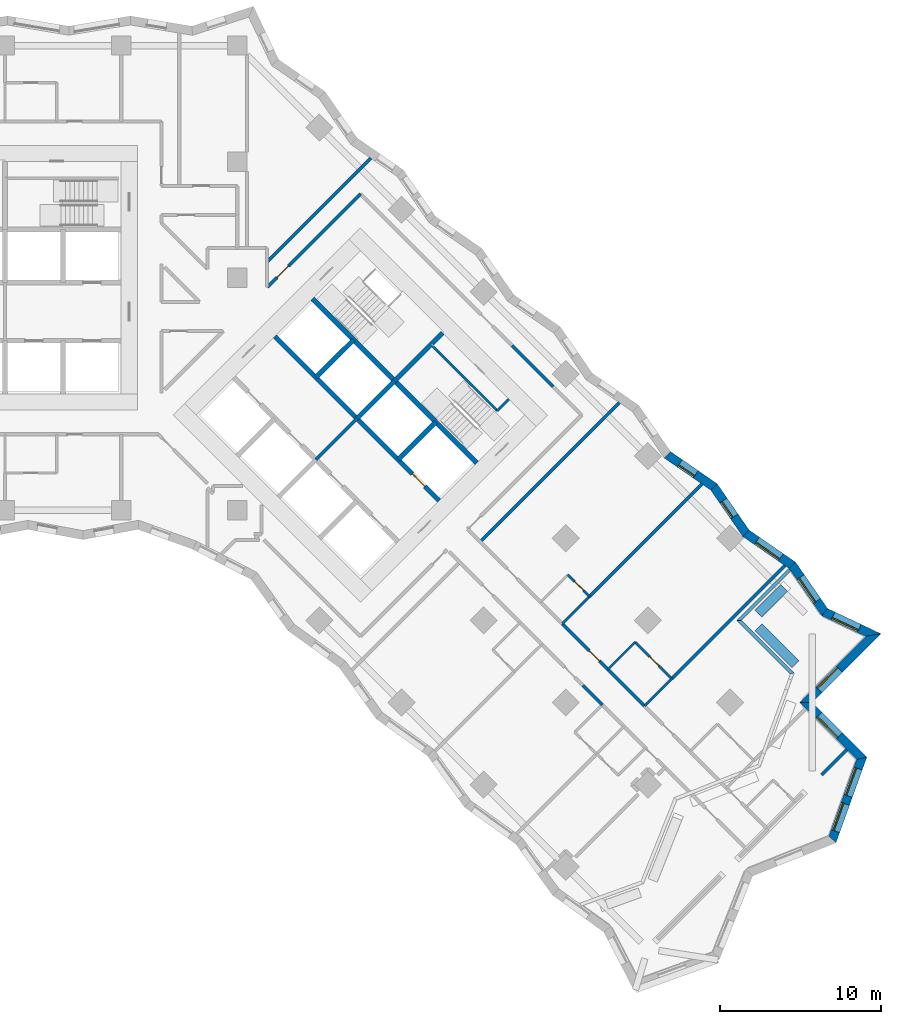
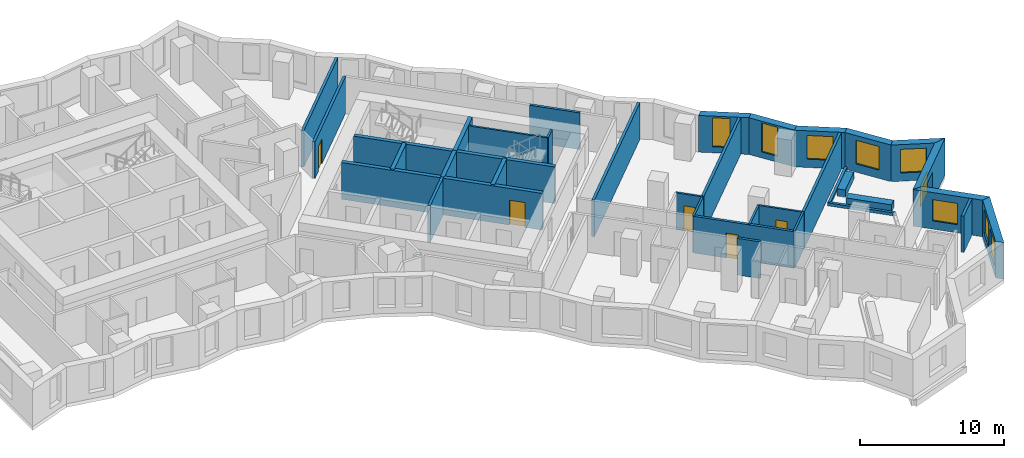
# One storey, part 9 of 13: 36 walls, 9 windows, 5 doors, 14 openings.
"""IFC4 building model written with IfcOpenShell, lengths in metres."""

from ifc_helpers import new_model, si_unit, direction, frame, frame_2d, origin, place, context, subcontext, project, spatial, polyline, rectangle, outline, extrude, material, layer, layer_set, type_object, element, fill, save


model = new_model("IFC4")

# Units and contexts
model_context = context("Model", 3, precision=1e-05, world=origin(), true_north=direction((0.0, 1.0)))
body_context = subcontext(model_context, "Body", "Model", "MODEL_VIEW")
ifc_project = project(units=[si_unit("LENGTHUNIT", "METRE"), si_unit("AREAUNIT", "SQUARE_METRE"), si_unit("VOLUMEUNIT", "CUBIC_METRE"), si_unit("PLANEANGLEUNIT", "RADIAN"), si_unit("MASSUNIT", "GRAM", prefix="KILO")], contexts=[model_context])

# Site, building, storey
site_placement = place(None, origin())
site = spatial("IfcSite", under=ifc_project, at=site_placement, CompositionType="ELEMENT")
building_placement = place(site_placement, origin())
building = spatial("IfcBuilding", under=site, at=building_placement, Name="Windrow Commons", CompositionType="ELEMENT")
storey_placement = place(building_placement, frame((0.0, 0.0, 64.4)))
storey = spatial("IfcBuildingStorey", under=building, at=storey_placement, Name="L17", CompositionType="ELEMENT", Elevation=64.4)

# Wall, openings, windows
ifc_material_1 = material(Name="Brick masonry, red clay brick", Category="masonry")
ifc_layer_1 = layer(ifc_material_1, 0.55)
ifc_layer_set_1 = layer_set([ifc_layer_1], Name="Brick facade wall 550")
wall_type_1 = type_object("IfcWallType", Name="Brick facade wall 550", PredefinedType="SOLIDWALL", material=ifc_layer_set_1)
wall_1_placement = place(storey_placement, frame((116.1011, 22.7777, 0.0), z_axis=(0.0, 0.0, 1.0), x_axis=(0.339264672, 0.9406909601, 0.0)))
wall_1 = element("IfcWall", 1, at=wall_1_placement, inside=storey, type_object=wall_type_1, Name="Brick facade wall L17 4", PredefinedType="SOLIDWALL", context=body_context, shape_type="SweptSolid", body=[
    extrude(outline(polyline([(-0.1238, -0.275), (5.5195, -0.275), (5.1702, 0.275), (0.1238, 0.275), (-0.1238, -0.275)])), origin(), (0.0, 0.0, 1.0), 3.1),
])
opening_1_placement = place(wall_1_placement, frame((0.5494, 0.0, 0.7)))
opening_1 = element("IfcOpeningElement", 2, at=opening_1_placement, cuts=wall_1, Name="Opening W1", PredefinedType="OPENING", context=body_context, shape_type="SweptSolid", body=[
    extrude(rectangle(XDim=1.8, YDim=2.0, at=frame_2d((0.9, 1.0))), frame((0.0, 0.285, 0.0), z_axis=(0.0, -1.0, 0.0), x_axis=(1.0, 0.0, 0.0)), (0.0, 0.0, 1.0), 0.57),
])
opening_2_placement = place(wall_1_placement, frame((2.8726, 0.0, 0.7)))
opening_2 = element("IfcOpeningElement", 3, at=opening_2_placement, cuts=wall_1, Name="Opening W1", PredefinedType="OPENING", context=body_context, shape_type="SweptSolid", body=[
    extrude(rectangle(XDim=1.8, YDim=2.0, at=frame_2d((0.9, 1.0))), frame((0.0, 0.285, 0.0), z_axis=(0.0, -1.0, 0.0), x_axis=(1.0, 0.0, 0.0)), (0.0, 0.0, 1.0), 0.57),
])
ifc_material_2 = material(Name="Clear float glass in anodised aluminium frame", Category="aluminium")
window_type_1 = type_object("IfcWindowType", Name="Window W1 bedroom 1800x2000", PartitioningType="SINGLE_PANEL", PredefinedType="WINDOW", material=ifc_material_2)
window_1_placement = place(opening_1_placement, origin())
window_1 = element("IfcWindow", 4, at=window_1_placement, inside=storey, type_object=window_type_1, Name="Window L17 4.1", OverallHeight=2.0, OverallWidth=1.8, PartitioningType="SINGLE_PANEL", PredefinedType="WINDOW", context=body_context, shape_type="SweptSolid", body=[
    extrude(rectangle(XDim=1.8, YDim=2.0, at=frame_2d((0.9, 1.0))), frame((0.0, 0.155, 0.0), z_axis=(0.0, -1.0, 0.0), x_axis=(1.0, 0.0, 0.0)), (0.0, 0.0, 1.0), 0.06),
])
fill(opening_1, window_1)
window_2_placement = place(opening_2_placement, origin())
window_2 = element("IfcWindow", 5, at=window_2_placement, inside=storey, type_object=window_type_1, Name="Window L17 4.2", OverallHeight=2.0, OverallWidth=1.8, PartitioningType="SINGLE_PANEL", PredefinedType="WINDOW", context=body_context, shape_type="SweptSolid", body=[
    extrude(rectangle(XDim=1.8, YDim=2.0, at=frame_2d((0.9, 1.0))), frame((0.0, 0.155, 0.0), z_axis=(0.0, -1.0, 0.0), x_axis=(1.0, 0.0, 0.0)), (0.0, 0.0, 1.0), 0.06),
])
fill(opening_2, window_2)

# Wall, opening, window
wall_2_placement = place(storey_placement, frame((117.9144, 27.8055, 0.0), z_axis=(0.0, 0.0, 1.0), x_axis=(-0.7071067812, 0.7071067812, 0.0)))
wall_2 = element("IfcWall", 6, at=wall_2_placement, inside=storey, type_object=wall_type_1, Name="Brick facade wall L17 5", PredefinedType="SOLIDWALL", context=body_context, shape_type="SweptSolid", body=[
    extrude(outline(polyline([(-0.1746, -0.275), (4.6254, -0.275), (5.1753, 0.275), (0.1746, 0.275), (-0.1746, -0.275)])), origin(), (0.0, 0.0, 1.0), 3.1),
])
opening_3_placement = place(wall_2_placement, frame((1.9629, 0.0, 0.7)))
opening_3 = element("IfcOpeningElement", 7, at=opening_3_placement, cuts=wall_2, Name="Opening W1M", PredefinedType="OPENING", context=body_context, shape_type="SweptSolid", body=[
    extrude(rectangle(XDim=1.8, YDim=1.8, at=frame_2d((0.9, 0.9))), frame((0.0, 0.285, 0.0), z_axis=(0.0, -1.0, 0.0), x_axis=(1.0, 0.0, 0.0)), (0.0, 0.0, 1.0), 0.57),
])
ifc_material_3 = material(Name="Clear float glass in anodised aluminium frame", Category="aluminium")
window_type_2 = type_object("IfcWindowType", Name="Window W1M bedroom 1800x1800", PartitioningType="SINGLE_PANEL", PredefinedType="WINDOW", material=ifc_material_3)
window_3_placement = place(opening_3_placement, origin())
window_3 = element("IfcWindow", 8, at=window_3_placement, inside=storey, type_object=window_type_2, Name="Window L17 5.1", OverallHeight=1.8, OverallWidth=1.8, PartitioningType="SINGLE_PANEL", PredefinedType="WINDOW", context=body_context, shape_type="SweptSolid", body=[
    extrude(rectangle(XDim=1.8, YDim=1.8, at=frame_2d((0.9, 0.9))), frame((0.0, 0.155, 0.0), z_axis=(0.0, -1.0, 0.0), x_axis=(1.0, 0.0, 0.0)), (0.0, 0.0, 1.0), 0.06),
])
fill(opening_3, window_3)

wall_3_placement = place(storey_placement, frame((114.4493, 31.2706, 0.0), z_axis=(0.0, 0.0, 1.0), x_axis=(0.7070983275, 0.7071152348, 0.0)))
wall_3 = element("IfcWall", 9, at=wall_3_placement, inside=storey, type_object=wall_type_1, Name="Brick facade wall L17 6", PredefinedType="SOLIDWALL", context=body_context, shape_type="SweptSolid", body=[
    extrude(outline(polyline([(0.275, -0.275), (6.305, -0.275), (5.5242, 0.275), (-0.275, 0.275), (0.275, -0.275)])), origin(), (0.0, 0.0, 1.0), 3.1),
])
opening_4_placement = place(wall_3_placement, frame((1.1375, 0.0, 0.7)))
opening_4 = element("IfcOpeningElement", 10, at=opening_4_placement, cuts=wall_3, Name="Opening W1M", PredefinedType="OPENING", context=body_context, shape_type="SweptSolid", body=[
    extrude(rectangle(XDim=1.8, YDim=1.8, at=frame_2d((0.9, 0.9))), frame((0.0, 0.285, 0.0), z_axis=(0.0, -1.0, 0.0), x_axis=(1.0, 0.0, 0.0)), (0.0, 0.0, 1.0), 0.57),
])
window_4_placement = place(opening_4_placement, origin())
window_4 = element("IfcWindow", 11, at=window_4_placement, inside=storey, type_object=window_type_2, Name="Window L17 6.1", OverallHeight=1.8, OverallWidth=1.8, PartitioningType="SINGLE_PANEL", PredefinedType="WINDOW", context=body_context, shape_type="SweptSolid", body=[
    extrude(rectangle(XDim=1.8, YDim=1.8, at=frame_2d((0.9, 0.9))), frame((0.0, 0.155, 0.0), z_axis=(0.0, -1.0, 0.0), x_axis=(1.0, 0.0, 0.0)), (0.0, 0.0, 1.0), 0.06),
])
fill(opening_4, window_4)

wall_4_placement = place(storey_placement, frame((118.6315, 35.4529, 0.0), z_axis=(0.0, 0.0, 1.0), x_axis=(-0.9039599594, 0.4276171089, 0.0)))
wall_4 = element("IfcWall", 12, at=wall_4_placement, inside=storey, type_object=wall_type_1, Name="Brick facade wall L17 7", PredefinedType="SOLIDWALL", context=body_context, shape_type="SweptSolid", body=[
    extrude(outline(polyline([(-0.3904, -0.275), (3.2611, -0.275), (3.4088, 0.275), (0.3904, 0.275), (-0.3904, -0.275)])), origin(), (0.0, 0.0, 1.0), 3.1),
])
opening_5_placement = place(wall_4_placement, frame((0.9627, 0.0, 0.7)))
opening_5 = element("IfcOpeningElement", 13, at=opening_5_placement, cuts=wall_4, Name="Opening W1", PredefinedType="OPENING", context=body_context, shape_type="SweptSolid", body=[
    extrude(rectangle(XDim=1.8, YDim=2.0, at=frame_2d((0.9, 1.0))), frame((0.0, 0.285, 0.0), z_axis=(0.0, -1.0, 0.0), x_axis=(1.0, 0.0, 0.0)), (0.0, 0.0, 1.0), 0.57),
])
window_5_placement = place(opening_5_placement, origin())
window_5 = element("IfcWindow", 14, at=window_5_placement, inside=storey, type_object=window_type_1, Name="Window L17 7.1", OverallHeight=2.0, OverallWidth=1.8, PartitioningType="SINGLE_PANEL", PredefinedType="WINDOW", context=body_context, shape_type="SweptSolid", body=[
    extrude(rectangle(XDim=1.8, YDim=2.0, at=frame_2d((0.9, 1.0))), frame((0.0, 0.155, 0.0), z_axis=(0.0, -1.0, 0.0), x_axis=(1.0, 0.0, 0.0)), (0.0, 0.0, 1.0), 0.06),
])
fill(opening_5, window_5)

wall_5_placement = place(storey_placement, frame((115.6168, 36.879, 0.0), z_axis=(0.0, 0.0, 1.0), x_axis=(-0.5680848714, 0.8229699745, 0.0)))
wall_5 = element("IfcWall", 15, at=wall_5_placement, inside=storey, type_object=wall_type_1, Name="Brick facade wall L17 8", PredefinedType="SOLIDWALL", context=body_context, shape_type="SweptSolid", body=[
    extrude(outline(polyline([(0.0739, -0.275), (3.5693, -0.275), (3.4685, 0.275), (-0.0739, 0.275), (0.0739, -0.275)])), origin(), (0.0, 0.0, 1.0), 3.1),
])
opening_6_placement = place(wall_5_placement, frame((0.8342, 0.0, 0.7)))
opening_6 = element("IfcOpeningElement", 16, at=opening_6_placement, cuts=wall_5, Name="Opening W1", PredefinedType="OPENING", context=body_context, shape_type="SweptSolid", body=[
    extrude(rectangle(XDim=1.8, YDim=2.0, at=frame_2d((0.9, 1.0))), frame((0.0, 0.285, 0.0), z_axis=(0.0, -1.0, 0.0), x_axis=(1.0, 0.0, 0.0)), (0.0, 0.0, 1.0), 0.57),
])
window_6_placement = place(opening_6_placement, origin())
window_6 = element("IfcWindow", 17, at=window_6_placement, inside=storey, type_object=window_type_1, Name="Window L17 8.1", OverallHeight=2.0, OverallWidth=1.8, PartitioningType="SINGLE_PANEL", PredefinedType="WINDOW", context=body_context, shape_type="SweptSolid", body=[
    extrude(rectangle(XDim=1.8, YDim=2.0, at=frame_2d((0.9, 1.0))), frame((0.0, 0.155, 0.0), z_axis=(0.0, -1.0, 0.0), x_axis=(1.0, 0.0, 0.0)), (0.0, 0.0, 1.0), 0.06),
])
fill(opening_6, window_6)

wall_6_placement = place(storey_placement, frame((113.6178, 39.7749, 0.0), z_axis=(0.0, 0.0, 1.0), x_axis=(-0.8229761943, 0.5680758609, 0.0)))
wall_6 = element("IfcWall", 18, at=wall_6_placement, inside=storey, type_object=wall_type_1, Name="Brick facade wall L17 9", PredefinedType="SOLIDWALL", context=body_context, shape_type="SweptSolid", body=[
    extrude(outline(polyline([(-0.0504, -0.275), (3.445, -0.275), (3.5458, 0.275), (0.0504, 0.275), (-0.0504, -0.275)])), origin(), (0.0, 0.0, 1.0), 3.1),
])
opening_7_placement = place(wall_6_placement, frame((0.8729, 0.0, 0.7)))
opening_7 = element("IfcOpeningElement", 19, at=opening_7_placement, cuts=wall_6, Name="Opening W1", PredefinedType="OPENING", context=body_context, shape_type="SweptSolid", body=[
    extrude(rectangle(XDim=1.8, YDim=2.0, at=frame_2d((0.9, 1.0))), frame((0.0, 0.285, 0.0), z_axis=(0.0, -1.0, 0.0), x_axis=(1.0, 0.0, 0.0)), (0.0, 0.0, 1.0), 0.57),
])
window_7_placement = place(opening_7_placement, origin())
window_7 = element("IfcWindow", 20, at=window_7_placement, inside=storey, type_object=window_type_1, Name="Window L17 9.1", OverallHeight=2.0, OverallWidth=1.8, PartitioningType="SINGLE_PANEL", PredefinedType="WINDOW", context=body_context, shape_type="SweptSolid", body=[
    extrude(rectangle(XDim=1.8, YDim=2.0, at=frame_2d((0.9, 1.0))), frame((0.0, 0.155, 0.0), z_axis=(0.0, -1.0, 0.0), x_axis=(1.0, 0.0, 0.0)), (0.0, 0.0, 1.0), 0.06),
])
fill(opening_7, window_7)

wall_7_placement = place(storey_placement, frame((110.7411, 41.7606, 0.0), z_axis=(0.0, 0.0, 1.0), x_axis=(-0.5680698592, 0.822980337, 0.0)))
wall_7 = element("IfcWall", 21, at=wall_7_placement, inside=storey, type_object=wall_type_1, Name="Brick facade wall L17 10", PredefinedType="SOLIDWALL", context=body_context, shape_type="SweptSolid", body=[
    extrude(outline(polyline([(0.0504, -0.275), (3.5458, -0.275), (3.445, 0.275), (-0.0504, 0.275), (0.0504, -0.275)])), origin(), (0.0, 0.0, 1.0), 3.1),
])
opening_8_placement = place(wall_7_placement, frame((1.2693, 0.0, 0.5)))
opening_8 = element("IfcOpeningElement", 22, at=opening_8_placement, cuts=wall_7, Name="Opening W7D", PredefinedType="OPENING", context=body_context, shape_type="SweptSolid", body=[
    extrude(rectangle(XDim=1.2, YDim=2.45, at=frame_2d((0.6, 1.225))), frame((0.0, 0.285, 0.0), z_axis=(0.0, -1.0, 0.0), x_axis=(1.0, 0.0, 0.0)), (0.0, 0.0, 1.0), 0.57),
])
ifc_material_4 = material(Name="Clear float glass in anodised aluminium frame", Category="aluminium")
window_type_3 = type_object("IfcWindowType", Name="Window W7 notch 1200x2450", PartitioningType="SINGLE_PANEL", PredefinedType="WINDOW", material=ifc_material_4)
window_8_placement = place(opening_8_placement, origin())
window_8 = element("IfcWindow", 23, at=window_8_placement, inside=storey, type_object=window_type_3, Name="Window L17 10.1", OverallHeight=2.45, OverallWidth=1.2, PartitioningType="SINGLE_PANEL", PredefinedType="WINDOW", context=body_context, shape_type="SweptSolid", body=[
    extrude(rectangle(XDim=1.2, YDim=2.45, at=frame_2d((0.6, 1.225))), frame((0.0, 0.155, 0.0), z_axis=(0.0, -1.0, 0.0), x_axis=(1.0, 0.0, 0.0)), (0.0, 0.0, 1.0), 0.06),
])
fill(opening_8, window_8)

wall_8_placement = place(storey_placement, frame((108.7555, 44.6372, 0.0), z_axis=(0.0, 0.0, 1.0), x_axis=(-0.8229761943, 0.5680758609, 0.0)))
wall_8 = element("IfcWall", 24, at=wall_8_placement, inside=storey, type_object=wall_type_1, Name="Brick facade wall L17 11", PredefinedType="SOLIDWALL", context=body_context, shape_type="SweptSolid", body=[
    extrude(outline(polyline([(-0.0504, -0.275), (3.445, -0.275), (3.5458, 0.275), (0.0504, 0.275), (-0.0504, -0.275)])), origin(), (0.0, 0.0, 1.0), 3.1),
])
opening_9_placement = place(wall_8_placement, frame((1.3767, 0.0, 0.5)))
opening_9 = element("IfcOpeningElement", 25, at=opening_9_placement, cuts=wall_8, Name="Opening W7D", PredefinedType="OPENING", context=body_context, shape_type="SweptSolid", body=[
    extrude(rectangle(XDim=1.2, YDim=2.45, at=frame_2d((0.6, 1.225))), frame((0.0, 0.285, 0.0), z_axis=(0.0, -1.0, 0.0), x_axis=(1.0, 0.0, 0.0)), (0.0, 0.0, 1.0), 0.57),
])
window_9_placement = place(opening_9_placement, origin())
window_9 = element("IfcWindow", 26, at=window_9_placement, inside=storey, type_object=window_type_3, Name="Window L17 11.1", OverallHeight=2.45, OverallWidth=1.2, PartitioningType="SINGLE_PANEL", PredefinedType="WINDOW", context=body_context, shape_type="SweptSolid", body=[
    extrude(rectangle(XDim=1.2, YDim=2.45, at=frame_2d((0.6, 1.225))), frame((0.0, 0.155, 0.0), z_axis=(0.0, -1.0, 0.0), x_axis=(1.0, 0.0, 0.0)), (0.0, 0.0, 1.0), 0.06),
])
fill(opening_9, window_9)

# Wall
ifc_material_5 = material(Name="Blockwork partition", Category="masonry")
ifc_layer_2 = layer(ifc_material_5, 0.2)
ifc_layer_set_2 = layer_set([ifc_layer_2], Name="Fire lobby partition 200")
wall_type_2 = type_object("IfcWallType", Name="Fire lobby partition 200", PredefinedType="PARTITIONING", material=ifc_layer_set_2)
wall_9_placement = place(storey_placement, frame((84.079, 46.332, 0.0), z_axis=(0.0, 0.0, 1.0), x_axis=(0.7071067812, 0.7071067812, 0.0)))
element("IfcWall", 27, at=wall_9_placement, inside=storey, type_object=wall_type_2, Name="W-core-lobby-B-L17", PredefinedType="PARTITIONING", context=body_context, shape_type="SweptSolid", body=[
    extrude(rectangle(XDim=3.6, YDim=0.2, at=frame_2d((1.8, 0.0))), origin(), (0.0, 0.0, 1.0), 3.1),
])

# Wall, opening, door
ifc_material_6 = material(Name="Blockwork partition", Category="masonry")
ifc_layer_3 = layer(ifc_material_6, 0.2)
ifc_layer_set_3 = layer_set([ifc_layer_3], Name="IW-CORRIDOR-200")
wall_type_3 = type_object("IfcWallType", Name="IW-CORRIDOR-200", PredefinedType="PARTITIONING", material=ifc_layer_set_3)
wall_10_placement = place(storey_placement, frame((81.053, 57.021, 0.0), z_axis=(0.0, 0.0, 1.0), x_axis=(0.7069845395, 0.7072290017, 0.0)))
wall_10 = element("IfcWall", 28, at=wall_10_placement, inside=storey, type_object=wall_type_3, Name="W-L17-W017", PredefinedType="PARTITIONING", context=body_context, shape_type="SweptSolid", body=[
    extrude(rectangle(XDim=8.1812, YDim=0.2, at=frame_2d((4.0906, 0.0))), origin(), (0.0, 0.0, 1.0), 3.1),
])
opening_10_placement = place(wall_10_placement, frame((0.8597, 0.0, 0.0)))
opening_10 = element("IfcOpeningElement", 29, at=opening_10_placement, cuts=wall_10, Name="Opening D310F", PredefinedType="OPENING", context=body_context, shape_type="SweptSolid", body=[
    extrude(rectangle(XDim=1.0, YDim=2.1, at=frame_2d((0.5, 1.05))), frame((0.0, 0.11, 0.0), z_axis=(0.0, -1.0, 0.0), x_axis=(1.0, 0.0, 0.0)), (0.0, 0.0, 1.0), 0.22),
])
ifc_material_7 = material(Name="Timber door leaf", Category="wood")
door_type_1 = type_object("IfcDoorType", Name="DT-AMENITY-1000", OperationType="SINGLE_SWING_LEFT", PredefinedType="DOOR", material=ifc_material_7)
door_1_placement = place(opening_10_placement, origin())
door_1 = element("IfcDoor", 30, at=door_1_placement, inside=storey, type_object=door_type_1, Name="D-L17-D036", OperationType="SINGLE_SWING_RIGHT", OverallHeight=2.1, OverallWidth=1.0, PredefinedType="DOOR", context=body_context, shape_type="SweptSolid", body=[
    extrude(rectangle(XDim=1.0, YDim=2.1, at=frame_2d((0.5, 1.05))), frame((0.0, 0.025, 0.0), z_axis=(0.0, -1.0, 0.0), x_axis=(1.0, 0.0, 0.0)), (0.0, 0.0, 1.0), 0.05),
])
fill(opening_10, door_1)

wall_11_placement = place(storey_placement, frame((99.3489, 36.1469, 0.0), z_axis=(0.0, 0.0, 1.0), x_axis=(0.7071067812, -0.7071067812, 0.0)))
wall_11 = element("IfcWall", 31, at=wall_11_placement, inside=storey, type_object=wall_type_3, Name="W-L17-W020", PredefinedType="PARTITIONING", context=body_context, shape_type="SweptSolid", body=[
    extrude(rectangle(XDim=7.2012, YDim=0.2, at=frame_2d((3.6006, 0.0))), origin(), (0.0, 0.0, 1.0), 3.1),
])
opening_11_placement = place(wall_11_placement, frame((2.3576, 0.0, 0.0)))
opening_11 = element("IfcOpeningElement", 32, at=opening_11_placement, cuts=wall_11, Name="Opening D109F", PredefinedType="OPENING", context=body_context, shape_type="SweptSolid", body=[
    extrude(rectangle(XDim=0.9, YDim=2.1, at=frame_2d((0.45, 1.05))), frame((0.0, 0.11, 0.0), z_axis=(0.0, -1.0, 0.0), x_axis=(1.0, 0.0, 0.0)), (0.0, 0.0, 1.0), 0.22),
])
ifc_material_8 = material(Name="Timber door leaf", Category="wood")
door_type_2 = type_object("IfcDoorType", Name="DT-BEDROOM-900", OperationType="SINGLE_SWING_LEFT", PredefinedType="DOOR", material=ifc_material_8)
door_2_placement = place(opening_11_placement, origin())
door_2 = element("IfcDoor", 33, at=door_2_placement, inside=storey, type_object=door_type_2, Name="D-L17-D042", OperationType="SINGLE_SWING_RIGHT", OverallHeight=2.1, OverallWidth=0.9, PredefinedType="DOOR", context=body_context, shape_type="SweptSolid", body=[
    extrude(rectangle(XDim=0.9, YDim=2.1, at=frame_2d((0.45, 1.05))), frame((0.0, 0.025, 0.0), z_axis=(0.0, -1.0, 0.0), x_axis=(1.0, 0.0, 0.0)), (0.0, 0.0, 1.0), 0.05),
])
fill(opening_11, door_2)

# Walls
wall_12_placement = place(storey_placement, frame((96.2437, 53.4057, 0.0), z_axis=(0.0, 0.0, 1.0), x_axis=(0.7068288851, -0.7073845681, 0.0)))
element("IfcWall", 34, at=wall_12_placement, inside=storey, type_object=wall_type_3, Name="W-L17-W055", PredefinedType="PARTITIONING", context=body_context, shape_type="SweptSolid", body=[
    extrude(rectangle(XDim=3.5992, YDim=0.2, at=frame_2d((1.7996, 0.0))), origin(), (0.0, 0.0, 1.0), 3.1),
])
wall_13_placement = place(storey_placement, frame((100.6292, 32.3352, 0.0), z_axis=(0.0, 0.0, 1.0), x_axis=(0.7071067812, -0.7071067812, 0.0)))
element("IfcWall", 35, at=wall_13_placement, inside=storey, type_object=wall_type_3, Name="W-L17-W140", PredefinedType="PARTITIONING", context=body_context, shape_type="SweptSolid", body=[
    extrude(rectangle(XDim=1.6999, YDim=0.2, at=frame_2d((0.8499, 0.0))), origin(), (0.0, 0.0, 1.0), 3.1),
])

# Wall, opening, door
ifc_material_9 = material(Name="Blockwork partition", Category="masonry")
ifc_layer_4 = layer(ifc_material_9, 0.15)
ifc_layer_set_4 = layer_set([ifc_layer_4], Name="IW-ENSUITE-150")
wall_type_4 = type_object("IfcWallType", Name="IW-ENSUITE-150", PredefinedType="PARTITIONING", material=ifc_layer_set_4)
wall_14_placement = place(storey_placement, frame((103.875, 35.015, 0.0), z_axis=(0.0, 0.0, 1.0), x_axis=(0.7071067812, -0.7071067812, 0.0)))
wall_14 = element("IfcWall", 36, at=wall_14_placement, inside=storey, type_object=wall_type_4, Name="W-L17-W063", PredefinedType="PARTITIONING", context=body_context, shape_type="SweptSolid", body=[
    extrude(rectangle(XDim=3.199, YDim=0.15, at=frame_2d((1.5995, 0.0))), origin(), (0.0, 0.0, 1.0), 3.1),
])
opening_12_placement = place(wall_14_placement, frame((1.2701, 0.0, 0.0)))
opening_12 = element("IfcOpeningElement", 37, at=opening_12_placement, cuts=wall_14, Name="Opening D208N", PredefinedType="OPENING", context=body_context, shape_type="SweptSolid", body=[
    extrude(rectangle(XDim=0.8, YDim=2.1, at=frame_2d((0.4, 1.05))), frame((0.0, 0.085, 0.0), z_axis=(0.0, -1.0, 0.0), x_axis=(1.0, 0.0, 0.0)), (0.0, 0.0, 1.0), 0.17),
])
ifc_material_10 = material(Name="Timber door leaf", Category="wood")
door_type_3 = type_object("IfcDoorType", Name="DT-ENSUITE-800", OperationType="SINGLE_SWING_LEFT", PredefinedType="DOOR", material=ifc_material_10)
door_3_placement = place(opening_12_placement, origin())
door_3 = element("IfcDoor", 38, at=door_3_placement, inside=storey, type_object=door_type_3, Name="D-L17-D043", OperationType="SINGLE_SWING_RIGHT", OverallHeight=2.1, OverallWidth=0.8, PredefinedType="DOOR", context=body_context, shape_type="SweptSolid", body=[
    extrude(rectangle(XDim=0.8, YDim=2.1, at=frame_2d((0.4, 1.05))), frame((0.0, 0.025, 0.0), z_axis=(0.0, -1.0, 0.0), x_axis=(1.0, 0.0, 0.0)), (0.0, 0.0, 1.0), 0.05),
])
fill(opening_12, door_3)

# Walls
for number, where, z_axis, x_axis, name in (
    (39, (99.3491, 36.1529, 0.0), (0.0, 0.0, 1.0), (0.7075233388, 0.706689978, 0.0), "W-L17-W099"),
    (40, (104.4453, 31.0567, 0.0), (0.0, 0.0, 1.0), (0.706689978, 0.7075233388, 0.0), "W-L17-W100"),
    (41, (102.1775, 33.3245, 0.0), (0.0, 0.0, 1.0), (0.7075233388, 0.706689978, 0.0), "W-L17-W103"),
):
    element("IfcWall", number, at=place(storey_placement, frame(where, z_axis=z_axis, x_axis=x_axis)), inside=storey, type_object=wall_type_4, Name=name, PredefinedType="PARTITIONING", context=body_context, shape_type="SweptSolid", body=[
        extrude(rectangle(XDim=2.3999, YDim=0.15, at=frame_2d((1.2, 0.0))), origin(), (0.0, 0.0, 1.0), 3.1),
    ])

# Wall, opening, door
wall_15_placement = place(storey_placement, frame((99.703, 39.187, 0.0), z_axis=(0.0, 0.0, 1.0), x_axis=(0.7071067812, -0.7071067812, 0.0)))
wall_15 = element("IfcWall", 42, at=wall_15_placement, inside=storey, type_object=wall_type_4, Name="W-L17-W115", PredefinedType="PARTITIONING", context=body_context, shape_type="SweptSolid", body=[
    extrude(rectangle(XDim=1.9007, YDim=0.15, at=frame_2d((0.9504, 0.0))), origin(), (0.0, 0.0, 1.0), 3.1),
])
opening_13_placement = place(wall_15_placement, frame((0.5838, 0.0, 0.0)))
opening_13 = element("IfcOpeningElement", 43, at=opening_13_placement, cuts=wall_15, Name="Opening D208N", PredefinedType="OPENING", context=body_context, shape_type="SweptSolid", body=[
    extrude(rectangle(XDim=0.8, YDim=2.1, at=frame_2d((0.4, 1.05))), frame((0.0, 0.085, 0.0), z_axis=(0.0, -1.0, 0.0), x_axis=(1.0, 0.0, 0.0)), (0.0, 0.0, 1.0), 0.17),
])
door_4_placement = place(opening_13_placement, origin())
door_4 = element("IfcDoor", 44, at=door_4_placement, inside=storey, type_object=door_type_3, Name="D-L17-D041", OperationType="SINGLE_SWING_RIGHT", OverallHeight=2.1, OverallWidth=0.8, PredefinedType="DOOR", context=body_context, shape_type="SweptSolid", body=[
    extrude(rectangle(XDim=0.8, YDim=2.1, at=frame_2d((0.4, 1.05))), frame((0.0, 0.025, 0.0), z_axis=(0.0, -1.0, 0.0), x_axis=(1.0, 0.0, 0.0)), (0.0, 0.0, 1.0), 0.05),
])
fill(opening_13, door_4)

# Walls
ifc_material_11 = material(Name="Blockwork partition", Category="masonry")
ifc_layer_5 = layer(ifc_material_11, 0.2)
ifc_layer_set_5 = layer_set([ifc_layer_5], Name="IW-PARTY-200")
wall_type_5 = type_object("IfcWallType", Name="IW-PARTY-200", PredefinedType="PARTITIONING", material=ifc_layer_set_5)
wall_16_placement = place(storey_placement, frame((94.2593, 41.2427, 0.0), z_axis=(0.0, 0.0, 1.0), x_axis=(0.7070206559, 0.7071928959, 0.0)))
element("IfcWall", 45, at=wall_16_placement, inside=storey, type_object=wall_type_5, Name="W-L17-W006", PredefinedType="PARTITIONING", context=body_context, shape_type="SweptSolid", body=[
    extrude(rectangle(XDim=12.1923, YDim=0.2, at=frame_2d((6.0961, 0.0))), origin(), (0.0, 0.0, 1.0), 3.1),
])
wall_17_placement = place(storey_placement, frame((106.1398, 32.7562, 0.0), z_axis=(0.0, 0.0, 1.0), x_axis=(0.7071017366, 0.7071118258, 0.0)))
element("IfcWall", 46, at=wall_17_placement, inside=storey, type_object=wall_type_5, Name="W-L17-W012", PredefinedType="PARTITIONING", context=body_context, shape_type="SweptSolid", body=[
    extrude(rectangle(XDim=9.9116, YDim=0.2, at=frame_2d((4.9558, 0.0))), origin(), (0.0, 0.0, 1.0), 3.1),
])
wall_18_placement = place(storey_placement, frame((101.0486, 37.8474, 0.0), z_axis=(0.0, 0.0, 1.0), x_axis=(0.7071067812, 0.7071067812, 0.0)))
element("IfcWall", 47, at=wall_18_placement, inside=storey, type_object=wall_type_5, Name="W-L17-W013", PredefinedType="PARTITIONING", context=body_context, shape_type="SweptSolid", body=[
    extrude(rectangle(XDim=9.8523, YDim=0.2, at=frame_2d((4.9261, 0.0))), origin(), (0.0, 0.0, 1.0), 3.1),
])
wall_19_placement = place(storey_placement, frame((81.0489, 58.5771, 0.0), z_axis=(0.0, 0.0, 1.0), x_axis=(0.7071067812, 0.7071067812, 0.0)))
element("IfcWall", 48, at=wall_19_placement, inside=storey, type_object=wall_type_5, Name="W-L17-W016", PredefinedType="PARTITIONING", context=body_context, shape_type="SweptSolid", body=[
    extrude(rectangle(XDim=9.0989, YDim=0.2, at=frame_2d((4.5495, 0.0))), origin(), (0.0, 0.0, 1.0), 3.1),
])
wall_20_placement = place(storey_placement, frame((115.4375, 26.7805, 0.0), z_axis=(0.0, 0.0, 1.0), x_axis=(0.7071067812, 0.7071067812, 0.0)))
element("IfcWall", 49, at=wall_20_placement, inside=storey, type_object=wall_type_5, Name="W-L17-W112", PredefinedType="PARTITIONING", context=body_context, shape_type="SweptSolid", body=[
    extrude(rectangle(XDim=2.2012, YDim=0.2, at=frame_2d((1.1006, 0.0))), origin(), (0.0, 0.0, 1.0), 3.1),
])
ifc_material_12 = material(Name="Concrete C30/37 planter wall", Category="concrete")
ifc_layer_6 = layer(ifc_material_12, 0.6)
ifc_layer_set_6 = layer_set([ifc_layer_6], Name="Planter 600x450")
wall_type_6 = type_object("IfcWallType", Name="Planter 600x450", PredefinedType="SOLIDWALL", material=ifc_layer_set_6)
wall_21_placement = place(storey_placement, frame((111.5148, 35.9375, 0.0), z_axis=(0.0, 0.0, 1.0), x_axis=(0.7070914108, -0.7071221512, 0.0)))
element("IfcWall", 50, at=wall_21_placement, inside=storey, type_object=wall_type_6, Name="PLANTER TR-L17-1.2", PredefinedType="SOLIDWALL", context=body_context, shape_type="SweptSolid", body=[
    extrude(rectangle(XDim=3.253, YDim=0.6, at=frame_2d((1.6265, 0.0))), origin(), (0.0, 0.0, 1.0), 0.65),
])
wall_22_placement = place(storey_placement, frame((113.1025, 38.3737, 0.0), z_axis=(0.0, 0.0, 1.0), x_axis=(-0.7071290498, -0.7070845119, 0.0)))
element("IfcWall", 51, at=wall_22_placement, inside=storey, type_object=wall_type_6, Name="PLANTER TR-L17-1.1", PredefinedType="SOLIDWALL", context=body_context, shape_type="SweptSolid", body=[
    extrude(outline(polyline([(0.0, -0.3), (2.2454, -0.3), (2.2454, 0.3), (0.0, 0.3), (0.0, -0.3)])), origin(), (0.0, 0.0, 1.0), 0.65),
])
ifc_material_13 = material(Name="Concrete C60/75", Category="concrete")
ifc_layer_7 = layer(ifc_material_13, 0.3)
ifc_layer_set_7 = layer_set([ifc_layer_7], Name="RC SHAFT WALL 300 C60/75")
wall_type_7 = type_object("IfcWallType", Name="RC SHAFT WALL 300 C60/75", PredefinedType="SOLIDWALL", material=ifc_layer_set_7)
wall_23_placement = place(storey_placement, frame((84.079, 51.4232, 0.0), z_axis=(0.0, 0.0, 1.0), x_axis=(0.7071219326, 0.7070916295, 0.0)))
element("IfcWall", 52, at=wall_23_placement, inside=storey, type_object=wall_type_7, Name="Core B wall shaft-N1", PredefinedType="SOLIDWALL", context=body_context, shape_type="SweptSolid", body=[
    extrude(rectangle(XDim=3.3, YDim=0.3, at=frame_2d((1.65, 0.0))), origin(), (0.0, 0.0, 1.0), 3.1),
])
for number, where, z_axis, x_axis, name in (
    (53, (86.6246, 48.8776, 0.0), (0.0, 0.0, 1.0), (0.7071067812, 0.7071067812, 0.0), "Core B wall shaft-N2"),
    (54, (89.1702, 46.332, 0.0), (0.0, 0.0, 1.0), (0.7071067812, 0.7071067812, 0.0), "Core B wall shaft-N3"),
):
    element("IfcWall", number, at=place(storey_placement, frame(where, z_axis=z_axis, x_axis=x_axis)), inside=storey, type_object=wall_type_7, Name=name, PredefinedType="SOLIDWALL", context=body_context, shape_type="SweptSolid", body=[
        extrude(rectangle(XDim=3.3001, YDim=0.3, at=frame_2d((1.6501, 0.0))), origin(), (0.0, 0.0, 1.0), 3.1),
    ])

# Wall, opening, door
wall_24_placement = place(storey_placement, frame((81.5335, 53.9688, 0.0), z_axis=(0.0, 0.0, 1.0), x_axis=(0.707103309, -0.7071102534, 0.0)))
wall_24 = element("IfcWall", 55, at=wall_24_placement, inside=storey, type_object=wall_type_7, Name="Core B wall lobby-N", PredefinedType="SOLIDWALL", context=body_context, shape_type="SweptSolid", body=[
    extrude(rectangle(XDim=14.4, YDim=0.3, at=frame_2d((7.2, 0.0))), origin(), (0.0, 0.0, 1.0), 3.1),
])
opening_14_placement = place(wall_24_placement, frame((12.05, 0.0, 0.0)))
opening_14 = element("IfcOpeningElement", 56, at=opening_14_placement, cuts=wall_24, Name="Opening LD", PredefinedType="OPENING", context=body_context, shape_type="SweptSolid", body=[
    extrude(rectangle(XDim=1.1, YDim=2.1, at=frame_2d((0.55, 1.05))), frame((0.0, 0.16, 0.0), z_axis=(0.0, -1.0, 0.0), x_axis=(1.0, 0.0, 0.0)), (0.0, 0.0, 1.0), 0.32),
])
ifc_material_14 = material(Name="Stainless steel door leaf", Category="steel")
door_type_4 = type_object("IfcDoorType", Name="Lift landing door 1100", OperationType="SLIDING_TO_LEFT", PredefinedType="DOOR", material=ifc_material_14)
door_5_placement = place(opening_14_placement, origin())
door_5 = element("IfcDoor", 57, at=door_5_placement, inside=storey, type_object=door_type_4, Name="Lift landing door", OperationType="SLIDING_TO_RIGHT", OverallHeight=2.1, OverallWidth=1.1, PredefinedType="DOOR", context=body_context, shape_type="SweptSolid", body=[
    extrude(rectangle(XDim=1.1, YDim=2.1, at=frame_2d((0.55, 1.05))), frame((0.0, 0.025, 0.0), z_axis=(0.0, -1.0, 0.0), x_axis=(1.0, 0.0, 0.0)), (0.0, 0.0, 1.0), 0.05),
])
fill(opening_14, door_5)

# Walls
for number, where, z_axis, x_axis, name in (
    (58, (83.8669, 56.3022, 0.0), (0.0, 0.0, 1.0), (0.7071137256, -0.7070998367, 0.0), "Core B wall stair-S"),
    (59, (88.9581, 51.2111, 0.0), (0.0, 0.0, 1.0), (0.7070998367, -0.7071137256, 0.0), "Core B wall stair-S2"),
):
    element("IfcWall", number, at=place(storey_placement, frame(where, z_axis=z_axis, x_axis=x_axis)), inside=storey, type_object=wall_type_7, Name=name, PredefinedType="SOLIDWALL", context=body_context, shape_type="SweptSolid", body=[
        extrude(rectangle(XDim=7.2, YDim=0.3, at=frame_2d((3.6, 0.0))), origin(), (0.0, 0.0, 1.0), 3.1),
    ])
wall_25_placement = place(storey_placement, frame((88.9581, 51.2111, 0.0), z_axis=(0.0, 0.0, 1.0), x_axis=(0.7071067812, 0.7071067812, 0.0)))
element("IfcWall", 60, at=wall_25_placement, inside=storey, type_object=wall_type_7, Name="Core B wall stair-mid", PredefinedType="SOLIDWALL", context=body_context, shape_type="SweptSolid", body=[
    extrude(rectangle(XDim=4.1999, YDim=0.3, at=frame_2d((2.1, 0.0))), origin(), (0.0, 0.0, 1.0), 3.1),
])
ifc_material_15 = material(Name="Blockwork partition", Category="masonry")
ifc_layer_8 = layer(ifc_material_15, 0.15)
ifc_layer_set_8 = layer_set([ifc_layer_8], Name="Riser partition 150")
wall_type_8 = type_object("IfcWallType", Name="Riser partition 150", PredefinedType="PARTITIONING", material=ifc_layer_set_8)
wall_26_placement = place(storey_placement, frame((91.3127, 53.3536, 0.0), z_axis=(0.0, 0.0, 1.0), x_axis=(0.7071067812, -0.7071067812, 0.0)))
element("IfcWall", 61, at=wall_26_placement, inside=storey, type_object=wall_type_8, Name="W-core-strip-B-L17", PredefinedType="PARTITIONING", context=body_context, shape_type="SweptSolid", body=[
    extrude(rectangle(XDim=5.6501, YDim=0.15, at=frame_2d((2.8251, 0.0))), origin(), (0.0, 0.0, 1.0), 3.1),
])
wall_27_placement = place(storey_placement, frame((95.3079, 49.3584, 0.0), z_axis=(0.0, 0.0, 1.0), x_axis=(0.70705776, 0.707155799, 0.0)))
element("IfcWall", 62, at=wall_27_placement, inside=storey, type_object=wall_type_8, Name="W-core-stripx-B-L17-1", PredefinedType="PARTITIONING", context=body_context, shape_type="SweptSolid", body=[
    extrude(rectangle(XDim=1.02, YDim=0.15, at=frame_2d((0.51, 0.0))), origin(), (0.0, 0.0, 1.0), 3.1),
])
ifc_material_16 = material(Name="Brick masonry, red clay brick", Category="masonry")
ifc_layer_9 = layer(ifc_material_16, 0.2)
ifc_layer_set_9 = layer_set([ifc_layer_9], Name="Terrace edge parapet 200")
wall_type_9 = type_object("IfcWallType", Name="Terrace edge parapet 200", PredefinedType="PARAPET", material=ifc_layer_set_9)
wall_28_placement = place(storey_placement, frame((113.4642, 39.5133, 0.0), z_axis=(0.0, 0.0, 1.0), x_axis=(-0.7071067812, -0.7071067812, 0.0)))
element("IfcWall", 63, at=wall_28_placement, inside=storey, type_object=wall_type_9, Name="Terrace parapet TR-L17-1.1.1", PredefinedType="PARAPET", context=body_context, shape_type="SweptSolid", body=[
    extrude(outline(polyline([(0.0, -0.1), (4.5569, -0.1), (4.3569, 0.1), (0.0, 0.1), (0.0, -0.1)])), origin(), (0.0, 0.0, 1.0), 0.25),
])
wall_29_placement = place(storey_placement, frame((110.3127, 36.3618, 0.0), z_axis=(0.0, 0.0, 1.0), x_axis=(0.7070960376, -0.7071175246, 0.0)))
element("IfcWall", 64, at=wall_29_placement, inside=storey, type_object=wall_type_9, Name="Terrace parapet TR-L17-1.1.2", PredefinedType="PARAPET", context=body_context, shape_type="SweptSolid", body=[
    extrude(outline(polyline([(-0.1, -0.1), (4.5905, -0.1), (4.7175, 0.1), (0.1, 0.1), (-0.1, -0.1)])), origin(), (0.0, 0.0, 1.0), 0.25),
])

save(model, "model.ifc")
